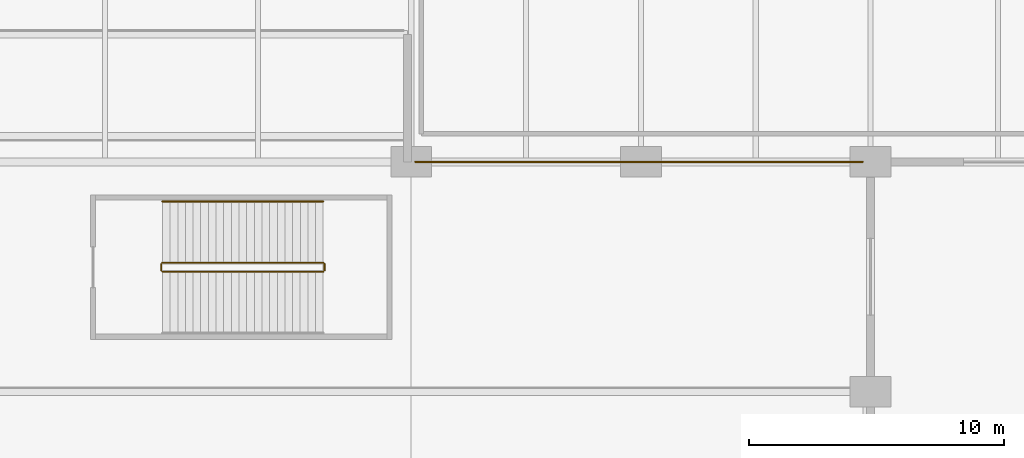
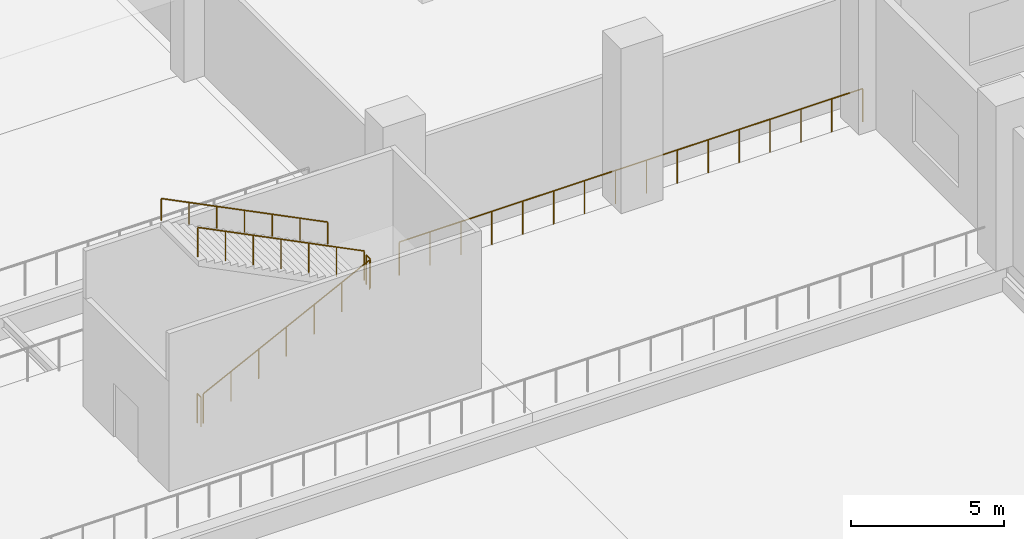
# One storey, part 55 of 65: 6 railings.
"""IFC4 building model written with IfcOpenShell, lengths in metres."""

from ifc_helpers import new_model, si_unit, direction, frame, origin, origin_2d, place, context, subcontext, project, spatial, circle, extrude, material, type_object, element, save


model = new_model("IFC4")

# Units and contexts
model_context = context("Model", 3, precision=1e-05, world=origin(), true_north=direction((0.0, 1.0)))
body_context = subcontext(model_context, "Body", "Model", "MODEL_VIEW")
ifc_project = project(units=[si_unit("LENGTHUNIT", "METRE"), si_unit("AREAUNIT", "SQUARE_METRE"), si_unit("VOLUMEUNIT", "CUBIC_METRE"), si_unit("PLANEANGLEUNIT", "RADIAN"), si_unit("MASSUNIT", "GRAM", prefix="KILO")], contexts=[model_context])

# Site, building, storey
site_placement = place(None, origin())
site = spatial("IfcSite", under=ifc_project, at=site_placement, CompositionType="ELEMENT")
building_placement = place(site_placement, origin())
building = spatial("IfcBuilding", under=site, at=building_placement, Name="Chuanluo Vaults Station", CompositionType="ELEMENT")
storey_placement = place(building_placement, origin())
storey = spatial("IfcBuildingStorey", under=building, at=storey_placement, Name="L00", CompositionType="ELEMENT", Elevation=0.0)

# Railings
ifc_material_1 = material(Name="Tempered laminated balustrade glass", Category="glass")
railing_type_1 = type_object("IfcRailingType", Name="RLG-GUARD-1200", PredefinedType="BALUSTRADE", material=ifc_material_1)
railing_1_placement = place(storey_placement, frame((98.25, 99.199951171875, 0.14990234375)))
element("IfcRailing", 1, at=railing_1_placement, inside=storey, type_object=railing_type_1, Name="L00 ST-15 stair guard 1", PredefinedType="BALUSTRADE", context=body_context, shape_type="SweptSolid", body=[
    extrude(circle(Radius=0.02392578125, at=origin_2d()), frame((0.0, 0.0, 1.17578125), z_axis=(0.894420258746, 0.0, 0.44722745974), x_axis=(0.0, 1.0, 0.0)), (0.0, 0.0, 1.0), 7.043701171875),
    extrude(circle(Radius=0.02099609375, at=origin_2d()), origin(), (0.0, 0.0, 1.0), 1.15185546875),
    extrude(circle(Radius=0.02099609375, at=origin_2d()), frame((1.050048828125, 0.0, 0.52490234375)), (0.0, 0.0, 1.0), 1.15185546875),
    extrude(circle(Radius=0.02099609375, at=origin_2d()), frame((2.10009765625, 0.0, 1.050048828125)), (0.0, 0.0, 1.0), 1.15185546875),
    extrude(circle(Radius=0.02099609375, at=origin_2d()), frame((3.14990234375, 0.0, 1.5751953125)), (0.0, 0.0, 1.0), 1.15185546875),
    extrude(circle(Radius=0.02099609375, at=origin_2d()), frame((4.199951171875, 0.0, 2.10009765625)), (0.0, 0.0, 1.0), 1.15185546875),
    extrude(circle(Radius=0.02099609375, at=origin_2d()), frame((5.25, 0.0, 2.625)), (0.0, 0.0, 1.0), 1.15185546875),
    extrude(circle(Radius=0.02099609375, at=origin_2d()), frame((6.300048828125, 0.0, 3.150146484375)), (0.0, 0.0, 1.0), 1.15185546875),
])
railing_2_placement = place(storey_placement, frame((104.60009765625, 99.25, 3.300048828125)))
element("IfcRailing", 2, at=railing_2_placement, inside=storey, type_object=railing_type_1, Name="L00 ST-15 stair guard 2", PredefinedType="BALUSTRADE", context=body_context, shape_type="SweptSolid", body=[
    extrude(circle(Radius=0.02392578125, at=origin_2d()), frame((0.0, 0.0, 1.17578125), z_axis=(0.0, 1.0, 0.0), x_axis=(-1.0, 0.0, 0.0)), (0.0, 0.0, 1.0), 0.25),
    extrude(circle(Radius=0.02099609375, at=origin_2d()), origin(), (0.0, 0.0, 1.0), 1.15185546875),
    extrude(circle(Radius=0.02099609375, at=origin_2d()), frame((0.0, 0.25, 0.0)), (0.0, 0.0, 1.0), 1.15185546875),
])
railing_3_placement = place(storey_placement, frame((104.550048828125, 99.550048828125, 3.449951171875)))
element("IfcRailing", 3, at=railing_3_placement, inside=storey, type_object=railing_type_1, Name="L00 ST-15 stair guard 3", PredefinedType="BALUSTRADE", context=body_context, shape_type="SweptSolid", body=[
    extrude(circle(Radius=0.02392578125, at=origin_2d()), frame((0.0, 0.0, 1.17578125), z_axis=(-0.894420258746, 0.0, 0.44722745974), x_axis=(0.0, -1.0, 0.0)), (0.0, 0.0, 1.0), 7.043701171875),
    extrude(circle(Radius=0.02099609375, at=origin_2d()), origin(), (0.0, 0.0, 1.0), 1.15185546875),
    extrude(circle(Radius=0.02099609375, at=origin_2d()), frame((-1.050048828125, 0.0, 0.52490234375)), (0.0, 0.0, 1.0), 1.15185546875),
    extrude(circle(Radius=0.02099609375, at=origin_2d()), frame((-2.10009765625, 0.0, 1.050048828125)), (0.0, 0.0, 1.0), 1.15185546875),
    extrude(circle(Radius=0.02099609375, at=origin_2d()), frame((-3.14990234375, 0.0, 1.5751953125)), (0.0, 0.0, 1.0), 1.15185546875),
    extrude(circle(Radius=0.02099609375, at=origin_2d()), frame((-4.199951171875, 0.0, 2.10009765625)), (0.0, 0.0, 1.0), 1.15185546875),
    extrude(circle(Radius=0.02099609375, at=origin_2d()), frame((-5.25, 0.0, 2.625)), (0.0, 0.0, 1.0), 1.15185546875),
    extrude(circle(Radius=0.02099609375, at=origin_2d()), frame((-6.300048828125, 0.0, 3.150146484375)), (0.0, 0.0, 1.0), 1.15185546875),
])
railing_4_placement = place(storey_placement, frame((98.199951171875, 99.25, 0.0)))
element("IfcRailing", 4, at=railing_4_placement, inside=storey, type_object=railing_type_1, Name="L00 ST-15 stair guard 4", PredefinedType="BALUSTRADE", context=body_context, shape_type="SweptSolid", body=[
    extrude(circle(Radius=0.02392578125, at=origin_2d()), frame((0.0, 0.0, 1.17578125), z_axis=(0.0, 1.0, 0.0), x_axis=(-1.0, 0.0, 0.0)), (0.0, 0.0, 1.0), 0.25),
    extrude(circle(Radius=0.02099609375, at=origin_2d()), origin(), (0.0, 0.0, 1.0), 1.15185546875),
    extrude(circle(Radius=0.02099609375, at=origin_2d()), frame((0.0, 0.25, 0.0)), (0.0, 0.0, 1.0), 1.15185546875),
])
ifc_material_2 = material(Name="Brushed stainless steel 304", Category="steel")
railing_type_2 = type_object("IfcRailingType", Name="RLG-HAND-900", PredefinedType="HANDRAIL", material=ifc_material_2)
railing_5_placement = place(storey_placement, frame((104.550048828125, 101.949951171875, 3.449951171875)))
element("IfcRailing", 5, at=railing_5_placement, inside=storey, type_object=railing_type_2, Name="L00 ST-15 stair handrail 2", PredefinedType="HANDRAIL", context=body_context, shape_type="SweptSolid", body=[
    extrude(circle(Radius=0.02392578125, at=origin_2d()), frame((0.0, 0.0, 0.8759765625), z_axis=(-0.894420258746, 0.0, 0.44722745974), x_axis=(0.0, -1.0, 0.0)), (0.0, 0.0, 1.0), 7.043701171875),
    extrude(circle(Radius=0.02099609375, at=origin_2d()), origin(), (0.0, 0.0, 1.0), 0.851806640625),
    extrude(circle(Radius=0.02099609375, at=origin_2d()), frame((-1.050048828125, 0.0, 0.52490234375)), (0.0, 0.0, 1.0), 0.851806640625),
    extrude(circle(Radius=0.02099609375, at=origin_2d()), frame((-2.10009765625, 0.0, 1.050048828125)), (0.0, 0.0, 1.0), 0.851806640625),
    extrude(circle(Radius=0.02099609375, at=origin_2d()), frame((-3.14990234375, 0.0, 1.5751953125)), (0.0, 0.0, 1.0), 0.851806640625),
    extrude(circle(Radius=0.02099609375, at=origin_2d()), frame((-4.199951171875, 0.0, 2.10009765625)), (0.0, 0.0, 1.0), 0.851806640625),
    extrude(circle(Radius=0.02099609375, at=origin_2d()), frame((-5.25, 0.0, 2.625)), (0.0, 0.0, 1.0), 0.851806640625),
    extrude(circle(Radius=0.02099609375, at=origin_2d()), frame((-6.300048828125, 0.0, 3.150146484375)), (0.0, 0.0, 1.0), 0.851806640625),
])
ifc_material_3 = material(Name="Tempered laminated balustrade glass", Category="glass")
railing_type_3 = type_object("IfcRailingType", Name="RLG-PLAT-1350", PredefinedType="GUARDRAIL", material=ifc_material_3)
railing_6_placement = place(storey_placement, frame((108.14990234375, 103.5, 0.0)))
element("IfcRailing", 6, at=railing_6_placement, inside=storey, type_object=railing_type_3, Name="Platform edge safety screen balustrade PLAT3-NE", PredefinedType="GUARDRAIL", context=body_context, shape_type="SweptSolid", body=[
    extrude(circle(Radius=0.02392578125, at=origin_2d()), frame((0.0, 0.0, 1.326171875), z_axis=(1.0, 0.0, 0.0), x_axis=(0.0, 1.0, 0.0)), (0.0, 0.0, 1.0), 17.550048828125),
    extrude(circle(Radius=0.02099609375, at=origin_2d()), origin(), (0.0, 0.0, 1.0), 1.302001953125),
    extrude(circle(Radius=0.02099609375, at=origin_2d()), frame((1.169921875, 0.0, 0.0)), (0.0, 0.0, 1.0), 1.302001953125),
    extrude(circle(Radius=0.02099609375, at=origin_2d()), frame((2.340087890625, 0.0, 0.0)), (0.0, 0.0, 1.0), 1.302001953125),
    extrude(circle(Radius=0.02099609375, at=origin_2d()), frame((3.510009765625, 0.0, 0.0)), (0.0, 0.0, 1.0), 1.302001953125),
    extrude(circle(Radius=0.02099609375, at=origin_2d()), frame((4.679931640625, 0.0, 0.0)), (0.0, 0.0, 1.0), 1.302001953125),
    extrude(circle(Radius=0.02099609375, at=origin_2d()), frame((5.85009765625, 0.0, 0.0)), (0.0, 0.0, 1.0), 1.302001953125),
    extrude(circle(Radius=0.02099609375, at=origin_2d()), frame((7.02001953125, 0.0, 0.0)), (0.0, 0.0, 1.0), 1.302001953125),
    extrude(circle(Radius=0.02099609375, at=origin_2d()), frame((8.18994140625, 0.0, 0.0)), (0.0, 0.0, 1.0), 1.302001953125),
    extrude(circle(Radius=0.02099609375, at=origin_2d()), frame((9.360107421875, 0.0, 0.0)), (0.0, 0.0, 1.0), 1.302001953125),
    extrude(circle(Radius=0.02099609375, at=origin_2d()), frame((10.530029296875, 0.0, 0.0)), (0.0, 0.0, 1.0), 1.302001953125),
    extrude(circle(Radius=0.02099609375, at=origin_2d()), frame((11.699951171875, 0.0, 0.0)), (0.0, 0.0, 1.0), 1.302001953125),
    extrude(circle(Radius=0.02099609375, at=origin_2d()), frame((12.8701171875, 0.0, 0.0)), (0.0, 0.0, 1.0), 1.302001953125),
    extrude(circle(Radius=0.02099609375, at=origin_2d()), frame((14.0400390625, 0.0, 0.0)), (0.0, 0.0, 1.0), 1.302001953125),
    extrude(circle(Radius=0.02099609375, at=origin_2d()), frame((15.2099609375, 0.0, 0.0)), (0.0, 0.0, 1.0), 1.302001953125),
    extrude(circle(Radius=0.02099609375, at=origin_2d()), frame((16.380126953125, 0.0, 0.0)), (0.0, 0.0, 1.0), 1.302001953125),
    extrude(circle(Radius=0.02099609375, at=origin_2d()), frame((17.550048828125, 0.0, 0.0)), (0.0, 0.0, 1.0), 1.302001953125),
])

save(model, "model.ifc")
